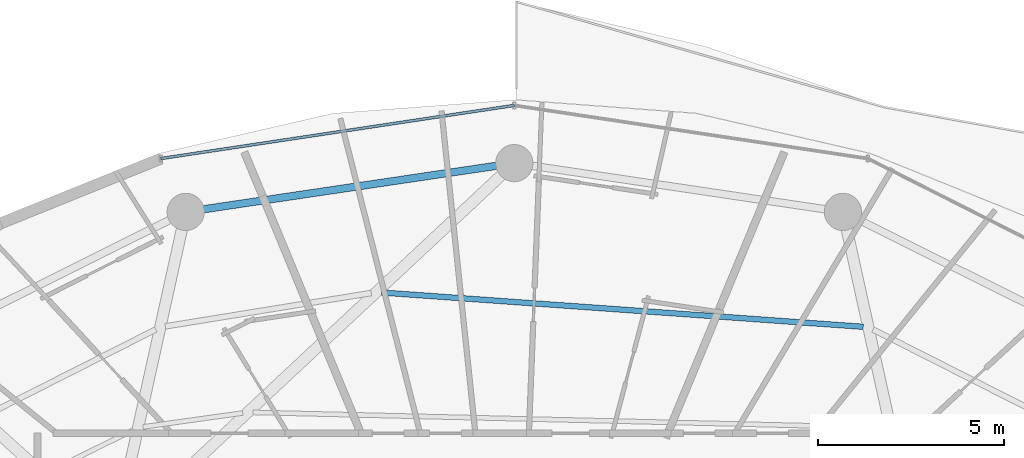
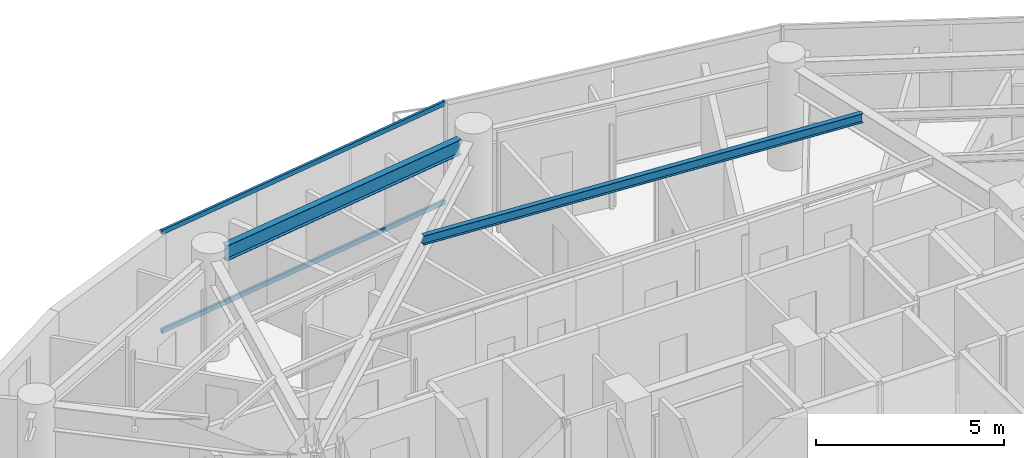
# One storey, part 16 of 28: 2 beams, 2 members, 1 element without a shape of its own.
"""IFC4 building model written with IfcOpenShell, lengths in metres."""

from ifc_helpers import new_model, si_unit, direction, frame, origin, origin_2d, place, context, subcontext, project, spatial, hollow_rectangle, i_section, extrude, material, material_profile, profile_set, type_object, element, aggregate, save


model = new_model("IFC4")

# Units and contexts
model_context = context("Model", 3, precision=1e-05, world=origin(), true_north=direction((0.0, 1.0)))
body_context = subcontext(model_context, "Body", "Model", "MODEL_VIEW")
ifc_project = project(units=[si_unit("LENGTHUNIT", "METRE"), si_unit("AREAUNIT", "SQUARE_METRE"), si_unit("VOLUMEUNIT", "CUBIC_METRE"), si_unit("PLANEANGLEUNIT", "RADIAN"), si_unit("MASSUNIT", "GRAM", prefix="KILO")], contexts=[model_context])

# Site, building, storey
site_placement = place(None, origin())
site = spatial("IfcSite", under=ifc_project, at=site_placement, CompositionType="ELEMENT")
building_placement = place(site_placement, origin())
building = spatial("IfcBuilding", under=site, at=building_placement, Name="Vorneva Point Tower", CompositionType="ELEMENT")
storey_placement = place(building_placement, frame((0.0, 0.0, 143.10009765625)))
storey = spatial("IfcBuildingStorey", under=building, at=storey_placement, Name="L38", CompositionType="ELEMENT", Elevation=143.10009765625)

# Beams
ifc_material_1 = material(Name="Steel S355", Category="steel")
ifc_material_profile_1 = material_profile(ifc_material_1, i_section(OverallWidth=0.14892578125, OverallDepth=0.298095703125, WebThickness=0.005615234375, FlangeThickness=0.008056640625, at=origin_2d()), Name="30B1")
ifc_profile_set_1 = profile_set([ifc_material_profile_1], Name="Steel S355")
beam_type_1 = type_object("IfcBeamType", Name="BM-JST-30B1", PredefinedType="JOIST", material=ifc_profile_set_1)
beam_1_placement = place(storey_placement, frame((47.3662109375, 38.806396484375, 3.0908203125), z_axis=(-0.997475780463, 0.071007516435, 0.0), x_axis=(-0.071007516435, -0.997475780463, 0.0)))
element("IfcBeam", 1, at=beam_1_placement, inside=storey, type_object=beam_type_1, Name="L38 Secondary Floor Beam 1.04", PredefinedType="JOIST", context=body_context, shape_type="SweptSolid", body=[
    extrude(i_section(OverallWidth=0.14892578125, OverallDepth=0.298095703125, WebThickness=0.005615234375, FlangeThickness=0.008056640625, at=origin_2d()), origin(), (0.0, 0.0, 1.0), 12.965576171875),
])
ifc_material_profile_2 = material_profile(ifc_material_1, i_section(OverallWidth=0.199951171875, OverallDepth=0.491943359375, WebThickness=0.0087890625, FlangeThickness=0.011962890625, at=origin_2d()), Name="50B1")
ifc_profile_set_2 = profile_set([ifc_material_profile_2], Name="Steel S355")
beam_type_2 = type_object("IfcBeamType", Name="BM-SPN-50B1", PredefinedType="SPANDREL", material=ifc_profile_set_2)
beam_2_placement = place(storey_placement, frame((37.520263671875, 43.12890625, 2.993896484375), z_axis=(-0.989161199046, -0.146833655211, 0.0), x_axis=(0.146833655211, -0.989161199046, 0.0)))
element("IfcBeam", 2, at=beam_2_placement, inside=storey, type_object=beam_type_2, Name="L38 Perimeter Spandrel Ring Beam 05", PredefinedType="SPANDREL", context=body_context, shape_type="SweptSolid", body=[
    extrude(i_section(OverallWidth=0.199951171875, OverallDepth=0.491943359375, WebThickness=0.0087890625, FlangeThickness=0.011962890625, at=origin_2d()), origin(), (0.0, 0.0, 1.0), 7.94775390625),
])

# Curtain wall, members
ifc_material_2 = material(Name="Pale anodised aluminium", Category="aluminium")
curtain_wall_type = type_object("IfcCurtainWallType", Name="CW-RES-SYS", PredefinedType="NOTDEFINED", material=ifc_material_2)
curtain_wall_placement = place(storey_placement, origin())
curtain_wall = element("IfcCurtainWall", 3, at=curtain_wall_placement, inside=storey, type_object=curtain_wall_type, Name="L38 Unitised Curtain Wall CW-L38-R01", PredefinedType="NOTDEFINED")
ifc_material_profile_3 = material_profile(ifc_material_2, hollow_rectangle(XDim=0.074951171875, YDim=0.14990234375, WallThickness=0.00390625, at=origin_2d()), Name="AL-TRN 150x75x4")
ifc_profile_set_3 = profile_set([ifc_material_profile_3], Name="Pale anodised aluminium")
member_type = type_object("IfcMemberType", Name="CW-TRN-150", PredefinedType="USERDEFINED", material=ifc_profile_set_3)
member_1_placement = place(storey_placement, frame((38.0, 44.75, 0.02001953125), z_axis=(-0.988880117727, -0.148714870687, 0.0), x_axis=(0.148714870687, -0.988880117727, 0.0)))
member_1 = element("IfcMember", 4, at=member_1_placement, type_object=member_type, Name="CW-L38-R01 Transom 04.1", ObjectType="TRANSOM", PredefinedType="USERDEFINED", context=body_context, shape_type="SweptSolid", body=[
    extrude(hollow_rectangle(XDim=0.074951171875, YDim=0.14990234375, WallThickness=0.00390625, at=origin_2d()), origin(), (0.0, 0.0, 1.0), 9.59716796875),
])
member_2_placement = place(storey_placement, frame((38.0, 44.75, 3.219970703125), z_axis=(-0.988880117727, -0.148714870687, 0.0), x_axis=(0.148714870687, -0.988880117727, 0.0)))
member_2 = element("IfcMember", 5, at=member_2_placement, type_object=member_type, Name="CW-L38-R01 Transom 04.2", ObjectType="TRANSOM", PredefinedType="USERDEFINED", context=body_context, shape_type="SweptSolid", body=[
    extrude(hollow_rectangle(XDim=0.074951171875, YDim=0.14990234375, WallThickness=0.00390625, at=origin_2d()), origin(), (0.0, 0.0, 1.0), 9.59716796875),
])
aggregate(curtain_wall, [member_1, member_2])

save(model, "model.ifc")
